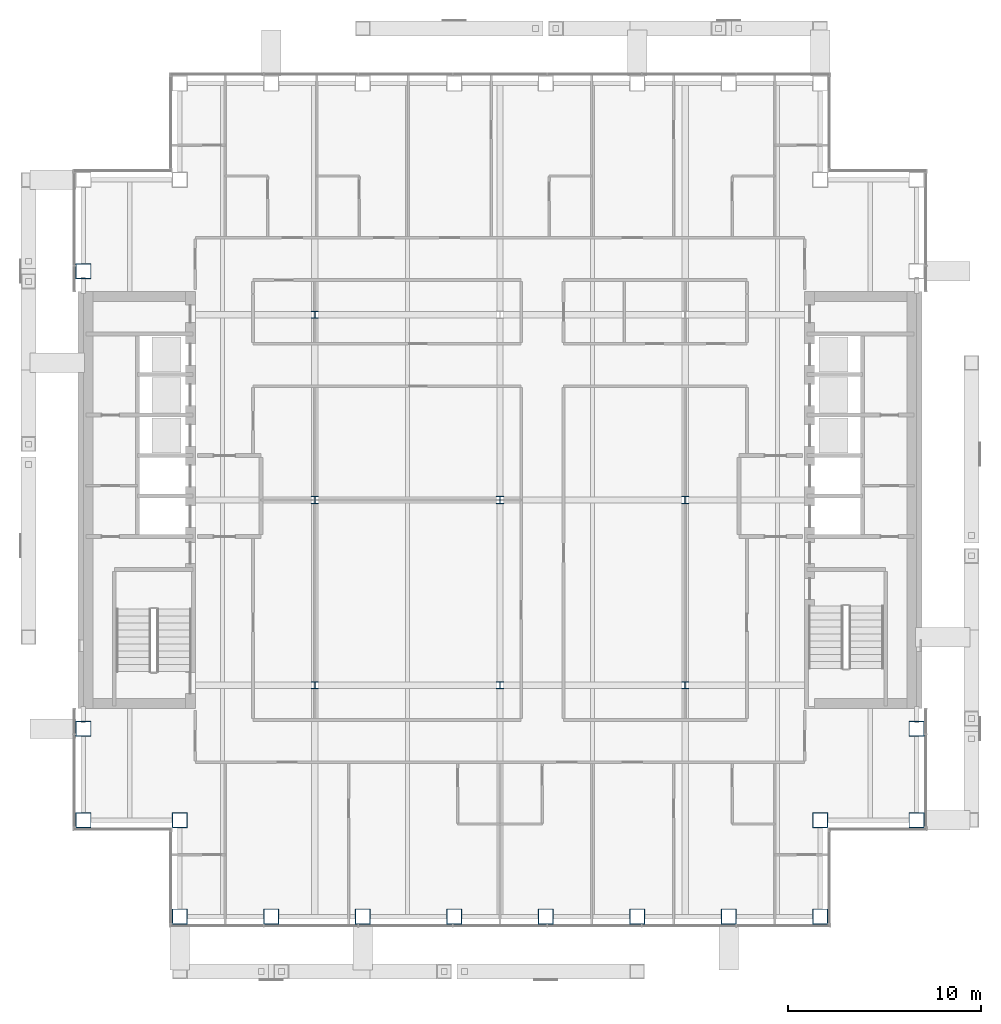
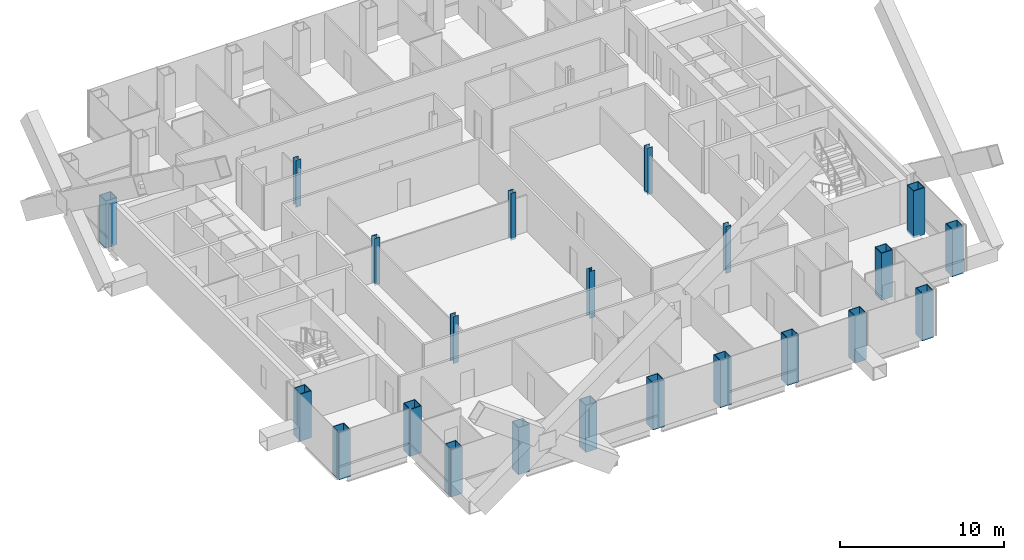
# One storey, part 1 of 18: 22 columns.
"""IFC4 building model written with IfcOpenShell, lengths in metres."""

from ifc_helpers import new_model, si_unit, direction, frame, origin, origin_2d, place, context, subcontext, project, spatial, hollow_rectangle, i_section, extrude, material, material_profile, profile_set, type_object, element, save


model = new_model("IFC4")

# Units and contexts
model_context = context("Model", 3, precision=1e-05, world=origin(), true_north=direction((0.0, 1.0)))
body_context = subcontext(model_context, "Body", "Model", "MODEL_VIEW")
ifc_project = project(units=[si_unit("LENGTHUNIT", "METRE"), si_unit("AREAUNIT", "SQUARE_METRE"), si_unit("VOLUMEUNIT", "CUBIC_METRE"), si_unit("PLANEANGLEUNIT", "RADIAN"), si_unit("MASSUNIT", "GRAM", prefix="KILO")], contexts=[model_context])

# Site, building, storey
site_placement = place(None, origin())
site = spatial("IfcSite", under=ifc_project, at=site_placement, CompositionType="ELEMENT")
building_placement = place(site_placement, origin())
building = spatial("IfcBuilding", under=site, at=building_placement, Name="Cobrizo Arcos Hotel Tower", CompositionType="ELEMENT")
storey_placement = place(building_placement, frame((0.0, 0.0, 165.5)))
storey = spatial("IfcBuildingStorey", under=building, at=storey_placement, Name="L42", CompositionType="ELEMENT", Elevation=165.5)

# Columns
ifc_material_1 = material(Name="Steel ASTM A572 Grade 50", Category="steel")
ifc_material_profile_1 = material_profile(ifc_material_1, hollow_rectangle(XDim=0.800048828125, YDim=0.800048828125, WallThickness=0.044921875, at=origin_2d()), Name="BOX 800X800X45")
ifc_profile_set_1 = profile_set([ifc_material_profile_1], Name="Steel ASTM A572 Grade 50")
column_type_1 = type_object("IfcColumnType", Name="BOX 800X800X45 column", PredefinedType="COLUMN", material=ifc_profile_set_1)
for number, where, z_axis, x_axis, name in (
    (1, (-16.60009765625, -21.60009765625, -0.14990234375), (0.0, 0.0, 1.0), (1.0, 0.0, 0.0), "Perimeter column C8, L42, no. 01"),
    (2, (-11.85693359375, -21.60009765625, -0.14990234375), (0.0, 0.0, 1.0), (1.0, 0.0, 0.0), "Perimeter column C8, L42, no. 03"),
    (3, (-7.114013671875, -21.60009765625, -0.14990234375), (0.0, 0.0, 1.0), (1.0, 0.0, 0.0), "Perimeter column C8, L42, no. 05"),
    (4, (-2.37109375, -21.60009765625, -0.14990234375), (0.0, 0.0, 1.0), (1.0, 0.0, 0.0), "Perimeter column C8, L42, no. 07"),
    (5, (2.37109375, -21.60009765625, -0.14990234375), (0.0, 0.0, 1.0), (1.0, 0.0, 0.0), "Perimeter column C8, L42, no. 09"),
    (6, (7.114013671875, -21.60009765625, -0.14990234375), (0.0, 0.0, 1.0), (1.0, 0.0, 0.0), "Perimeter column C8, L42, no. 11"),
    (7, (11.85693359375, -21.60009765625, -0.14990234375), (0.0, 0.0, 1.0), (1.0, 0.0, 0.0), "Perimeter column C8, L42, no. 13"),
    (8, (16.60009765625, -21.60009765625, -0.14990234375), (0.0, 0.0, 1.0), (1.0, 0.0, 0.0), "Perimeter column C8, L42, no. 15"),
    (9, (21.60009765625, -16.60009765625, -0.14990234375), (0.0, 0.0, 1.0), (1.0, 0.0, 0.0), "Perimeter column C8, L42, no. 16"),
    (10, (-21.60009765625, -16.60009765625, -0.14990234375), (0.0, 0.0, 1.0), (1.0, 0.0, 0.0), "Perimeter column C8, L42, no. 17"),
    (11, (21.60009765625, -11.85693359375, -0.14990234375), (0.0, 0.0, 1.0), (1.0, 0.0, 0.0), "Perimeter column C8, L42, no. 18"),
    (12, (-21.60009765625, -11.85693359375, -0.14990234375), (0.0, 0.0, 1.0), (1.0, 0.0, 0.0), "Perimeter column C8, L42, no. 19"),
    (13, (-21.60009765625, 11.85693359375, -0.14990234375), (0.0, 0.0, 1.0), (1.0, 0.0, 0.0), "Perimeter column C8, L42, no. 21"),
    (14, (-16.60009765625, -16.60009765625, -0.14990234375), (0.0, 0.0, 1.0), (1.0, 0.0, 0.0), "Perimeter column C8, L42, no. 24"),
    (15, (16.60009765625, -16.60009765625, -0.14990234375), (0.0, 0.0, 1.0), (1.0, 0.0, 0.0), "Perimeter column C8, L42, no. 26"),
):
    element("IfcColumn", number, at=place(storey_placement, frame(where, z_axis=z_axis, x_axis=x_axis)), inside=storey, type_object=column_type_1, Name=name, PredefinedType="COLUMN", context=body_context, shape_type="SweptSolid", body=[
        extrude(hollow_rectangle(XDim=0.800048828125, YDim=0.800048828125, WallThickness=0.044921875, at=origin_2d()), origin(), (0.0, 0.0, 1.0), 3.5),
    ])
ifc_material_2 = material(Name="Steel ASTM A992 Grade 50", Category="steel")
ifc_material_profile_2 = material_profile(ifc_material_2, i_section(OverallWidth=0.373291015625, OverallDepth=0.373291015625, WebThickness=0.016357421875, FlangeThickness=0.026123046875, at=origin_2d()), Name="W14X132")
ifc_profile_set_2 = profile_set([ifc_material_profile_2], Name="Steel ASTM A992 Grade 50")
column_type_2 = type_object("IfcColumnType", Name="W14X132 interior column", PredefinedType="COLUMN", material=ifc_profile_set_2)
for number, where, z_axis, x_axis, name in (
    (16, (-9.60009765625, -9.60009765625, -0.14990234375), (0.0, 0.0, 1.0), (1.0, 0.0, 0.0), "Interior column C9, L42, no. 00"),
    (17, (-9.60009765625, 0.0, -0.14990234375), (0.0, 0.0, 1.0), (1.0, 0.0, 0.0), "Interior column C9, L42, no. 01"),
    (18, (-9.60009765625, 9.60009765625, -0.14990234375), (0.0, 0.0, 1.0), (1.0, 0.0, 0.0), "Interior column C9, L42, no. 02"),
    (19, (0.0, -9.60009765625, -0.14990234375), (0.0, 0.0, 1.0), (1.0, 0.0, 0.0), "Interior column C9, L42, no. 03"),
    (20, (0.0, 0.0, -0.14990234375), (0.0, 0.0, 1.0), (1.0, 0.0, 0.0), "Interior column C9, L42, no. 04"),
    (21, (9.60009765625, -9.60009765625, -0.14990234375), (0.0, 0.0, 1.0), (1.0, 0.0, 0.0), "Interior column C9, L42, no. 06"),
    (22, (9.60009765625, 0.0, -0.14990234375), (0.0, 0.0, 1.0), (1.0, 0.0, 0.0), "Interior column C9, L42, no. 07"),
):
    element("IfcColumn", number, at=place(storey_placement, frame(where, z_axis=z_axis, x_axis=x_axis)), inside=storey, type_object=column_type_2, Name=name, PredefinedType="COLUMN", context=body_context, shape_type="SweptSolid", body=[
        extrude(i_section(OverallWidth=0.373291015625, OverallDepth=0.373291015625, WebThickness=0.016357421875, FlangeThickness=0.026123046875, at=origin_2d()), origin(), (0.0, 0.0, 1.0), 3.5),
    ])

save(model, "model.ifc")
